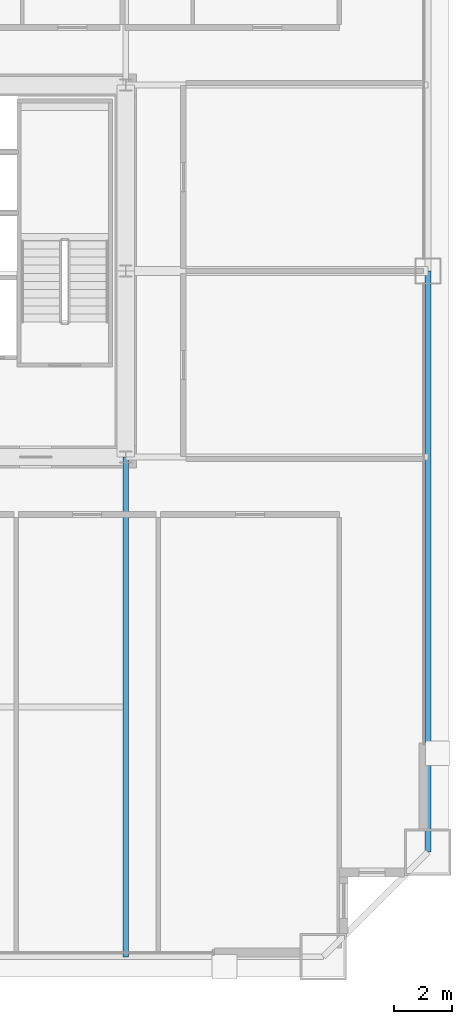
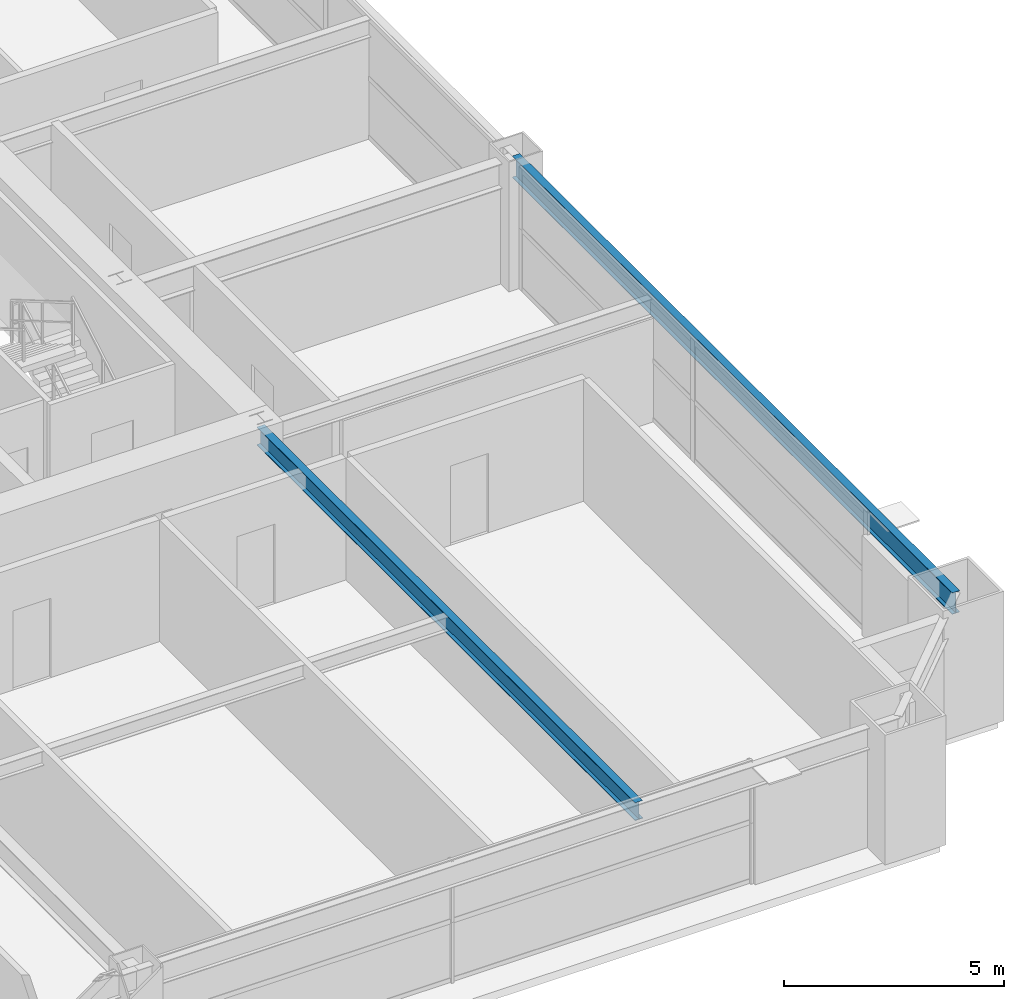
# One storey, part 17 of 39: 2 beams.
"""IFC4 building model written with IfcOpenShell, lengths in metres."""

import ifcopenshell
import ifcopenshell.guid

model = None  # the IFC model being written
_history = None  # IfcOwnerHistory: only IFC2X3 demands one
_inside = {}  # id of a spatial element -> (the spatial element, [elements in it])
_under = {}  # id of a project, library or spatial element -> (it, [spatial elements below it])
_declared = {}  # id of a project -> (the project, [libraries it declares])
_typed = {}  # id of a type object -> (the type object, [elements of that type])
_made_of = {}  # id of a material, layer set ... -> (it, [elements and type objects made of it])


def new_model(schema):
    """Start an empty IFC model of exactly this schema.

    Asked for "IFC4X3", IfcOpenShell would pick the latest addendum, in which some entities
    have other attributes; the version numbers below select the first issue.
    IFC2X3 requires an IfcOwnerHistory on every rooted entity: one is made here for all.
    """
    global model, _history
    if schema == "IFC4X3":
        model = ifcopenshell.file(schema_version=(4, 3, 0, 0))
    else:
        model = ifcopenshell.file(schema=schema)
    _inside.clear()
    _under.clear()
    _declared.clear()
    _typed.clear()
    _made_of.clear()
    _history = None
    if model.schema == "IFC2X3":
        org = make("IfcOrganization", Name="unknown")
        user = make(
            "IfcPersonAndOrganization",
            ThePerson=make("IfcPerson", FamilyName="unknown"),
            TheOrganization=org,
        )
        app = make(
            "IfcApplication",
            ApplicationDeveloper=org,
            Version="unknown",
            ApplicationFullName="unknown",
            ApplicationIdentifier="unknown",
        )
        _history = make(
            "IfcOwnerHistory",
            OwningUser=user,
            OwningApplication=app,
            ChangeAction="ADDED",
            CreationDate=0,
        )
    return model


def make(cls, **values):
    """One entity of the class cls with the attributes given. An attribute that is None is left unset."""
    return model.create_entity(
        cls, **{name: value for name, value in values.items() if value is not None}
    )


def rooted(cls, **values):
    """An entity with a GlobalId (a new one), such as an element, a storey or a relation."""
    return make(cls, GlobalId=ifcopenshell.guid.new(), OwnerHistory=_history, **values)


def si_unit(unit_type, name, prefix=None):
    """IfcSIUnit, for example si_unit("LENGTHUNIT", "METRE", prefix="MILLI")."""
    return make("IfcSIUnit", UnitType=unit_type, Prefix=prefix, Name=name)


def assignment(units):
    """IfcUnitAssignment: the units of a project."""
    return None if units is None else make("IfcUnitAssignment", Units=units)


def point(xyz):
    """IfcCartesianPoint."""
    return None if xyz is None else make("IfcCartesianPoint", Coordinates=xyz)


def direction(xyz):
    """IfcDirection."""
    return None if xyz is None else make("IfcDirection", DirectionRatios=xyz)


def frame(location, z_axis=None, x_axis=None):
    """IfcAxis2Placement3D, a coordinate frame: its origin and axes. An axis left out is left unset."""
    return make(
        "IfcAxis2Placement3D",
        Location=point(location),
        Axis=direction(z_axis),
        RefDirection=direction(x_axis),
    )


def frame_2d(location, x_axis=None):
    """IfcAxis2Placement2D, a coordinate frame in the plane: its origin and x axis."""
    return make(
        "IfcAxis2Placement2D", Location=point(location), RefDirection=direction(x_axis)
    )


def origin():
    """The frame at (0, 0, 0) with its axes left unset."""
    return frame((0.0, 0.0, 0.0))


def origin_2d():
    """The frame at (0, 0) in the plane with its x axis left unset."""
    return frame_2d((0.0, 0.0))


def place(relative_to, where):
    """IfcLocalPlacement: puts the frame where relative to a parent placement (None: the world)."""
    return make(
        "IfcLocalPlacement", PlacementRelTo=relative_to, RelativePlacement=where
    )


def context(
    kind, dimensions, precision=None, world=None, true_north=None, identifier=None
):
    """IfcGeometricRepresentationContext, for example the 3D "Model" context."""
    return make(
        "IfcGeometricRepresentationContext",
        ContextIdentifier=identifier,
        ContextType=kind,
        CoordinateSpaceDimension=dimensions,
        Precision=precision,
        WorldCoordinateSystem=world,
        TrueNorth=true_north,
    )


def subcontext(parent, identifier, kind, view, scale=None):
    """IfcGeometricRepresentationSubContext, for example "Body" below "Model"."""
    return make(
        "IfcGeometricRepresentationSubContext",
        ContextIdentifier=identifier,
        ContextType=kind,
        ParentContext=parent,
        TargetScale=scale,
        TargetView=view,
    )


def project(units=None, contexts=None):
    """IfcProject with its units and contexts."""
    return rooted(
        "IfcProject",
        Name="project",
        RepresentationContexts=contexts,
        UnitsInContext=assignment(units),
    )


def spatial(cls, under=None, at=None, **own):
    """A site, building, storey or space (cls), placed at a placement, below another one or the project."""
    s = rooted(cls, ObjectPlacement=at, **own)
    if under is not None:
        _under.setdefault(under.id(), (under, []))[1].append(s)
    return s


def profile(cls, at=None, kind="AREA", **sizes):
    """A parametric profile (cls). Its sizes go by their IFC names, for example OverallWidth=200.0."""
    return make(cls, ProfileType=kind, Position=at, **sizes)


def i_section(**sizes):
    """IfcIShapeProfileDef."""
    return profile("IfcIShapeProfileDef", **sizes)


def extrude(swept, where, along, depth):
    """IfcExtrudedAreaSolid: the profile swept, set in the frame where, extruded along a direction by depth."""
    return make(
        "IfcExtrudedAreaSolid",
        SweptArea=swept,
        Position=where,
        ExtrudedDirection=direction(along),
        Depth=depth,
    )


def shape(context_of_items, identifier, shape_type, items):
    """IfcShapeRepresentation: the items that make up one representation, for example the "Body"."""
    return make(
        "IfcShapeRepresentation",
        ContextOfItems=context_of_items,
        RepresentationIdentifier=identifier,
        RepresentationType=shape_type,
        Items=items,
    )


def source(mapping_origin, context_of_items, identifier, shape_type, items):
    """IfcRepresentationMap: a shape defined once, which mapped items show again and again."""
    return make(
        "IfcRepresentationMap",
        MappingOrigin=mapping_origin,
        MappedRepresentation=shape(context_of_items, identifier, shape_type, items),
    )


def transform(
    local_origin,
    x_axis=None,
    y_axis=None,
    z_axis=None,
    scale=None,
    scale2=None,
    scale3=None,
    uniform=True,
):
    """IfcCartesianTransformationOperator3D, or its non-uniform kind. x_axis, y_axis, z_axis: its Axis1, 2, 3."""
    if uniform:
        return make(
            "IfcCartesianTransformationOperator3D",
            Axis1=direction(x_axis),
            Axis2=direction(y_axis),
            LocalOrigin=point(local_origin),
            Scale=scale,
            Axis3=direction(z_axis),
        )
    return make(
        "IfcCartesianTransformationOperator3DnonUniform",
        Axis1=direction(x_axis),
        Axis2=direction(y_axis),
        LocalOrigin=point(local_origin),
        Scale=scale,
        Axis3=direction(z_axis),
        Scale2=scale2,
        Scale3=scale3,
    )


def mapped(mapping_source, mapping_target):
    """IfcMappedItem: shows the shape of a source again, moved by a transform."""
    return make(
        "IfcMappedItem", MappingSource=mapping_source, MappingTarget=mapping_target
    )


def material(Name=None, Category=None):
    """IfcMaterial."""
    return make("IfcMaterial", Name=Name, Category=Category)


def material_profile(
    of_material, cross_section, Name=None, Category=None, Priority=None
):
    """IfcMaterialProfile: a cross section and its material."""
    return make(
        "IfcMaterialProfile",
        Name=Name,
        Material=of_material,
        Profile=cross_section,
        Priority=Priority,
        Category=Category,
    )


def profile_set(profiles, Name=None, composite=None):
    """IfcMaterialProfileSet."""
    return make(
        "IfcMaterialProfileSet",
        Name=Name,
        MaterialProfiles=profiles,
        CompositeProfile=composite,
    )


def made_of(thing, what):
    """Note that an element or type object is made of a material, layer set ...; save() writes the relation."""
    if what is not None:
        _made_of.setdefault(what.id(), (what, []))[1].append(thing)
    return thing


def type_object(cls, material=None, **own):
    """A type object (cls), such as IfcWallType, which elements share."""
    return made_of(rooted(cls, **own), material)


def element(
    cls,
    number,
    at=None,
    inside=None,
    cuts=None,
    type_object=None,
    material=None,
    context=None,
    identifier="Body",
    shape_type=None,
    held_by="IfcProductDefinitionShape",
    body=None,
    shapes=None,
    **own,
):
    """One element of the class cls, such as IfcWall. Its Tag is "e" and its number.

    at: its placement. inside: the storey or other place that contains it. cuts: it is an
    opening in that element (IfcRelVoidsElement). A single representation is given by context,
    identifier, shape_type and body (its items); several are given by shapes. held_by: the class
    of the entity that holds the representations. save() writes the other relations.
    """
    e = rooted(cls, Tag="e%d" % number, ObjectPlacement=at, **own)
    if body is not None:
        shapes = [shape(context, identifier, shape_type, body)]
    if shapes is not None:
        e.Representation = make(held_by, Representations=shapes)
    if inside is not None:
        _inside.setdefault(inside.id(), (inside, []))[1].append(e)
    if cuts is not None:
        rooted(
            "IfcRelVoidsElement", RelatingBuildingElement=cuts, RelatedOpeningElement=e
        )
    if type_object is not None:
        _typed.setdefault(type_object.id(), (type_object, []))[1].append(e)
    return made_of(e, material)


def aggregate(whole, parts):
    """IfcRelAggregates: a whole, such as a stair, and the parts it consists of."""
    return rooted("IfcRelAggregates", RelatingObject=whole, RelatedObjects=parts)


def save(model, path):
    """Write the relations noted so far, then the file.

    IfcRelAggregates (storeys below a building ...), IfcRelContainedInSpatialStructure (elements
    in a storey), IfcRelDefinesByType, IfcRelAssociatesMaterial and IfcRelDeclares: one each for
    every whole, place, type object, material and project.
    """
    for whole, parts in _under.values():
        aggregate(whole, parts)
    for where, things in _inside.values():
        rooted(
            "IfcRelContainedInSpatialStructure",
            RelatedElements=things,
            RelatingStructure=where,
        )
    for kind, things in _typed.values():
        rooted("IfcRelDefinesByType", RelatedObjects=things, RelatingType=kind)
    for what, things in _made_of.values():
        rooted("IfcRelAssociatesMaterial", RelatedObjects=things, RelatingMaterial=what)
    for by, libraries in _declared.values():
        rooted("IfcRelDeclares", RelatingContext=by, RelatedDefinitions=libraries)
    model.write(path)


model = new_model("IFC4")

# Units and contexts
model_context = context("Model", 3, precision=1e-05, world=origin(), true_north=direction((0.0, 1.0)))
body_context = subcontext(model_context, "Body", "Model", "MODEL_VIEW")
ifc_project = project(units=[si_unit("LENGTHUNIT", "METRE"), si_unit("AREAUNIT", "SQUARE_METRE"), si_unit("VOLUMEUNIT", "CUBIC_METRE"), si_unit("PLANEANGLEUNIT", "RADIAN"), si_unit("MASSUNIT", "GRAM", prefix="KILO"), si_unit("THERMODYNAMICTEMPERATUREUNIT", "KELVIN"), si_unit("POWERUNIT", "WATT")], contexts=[model_context])

# Site, building, storey
site_placement = place(None, origin())
site = spatial("IfcSite", under=ifc_project, at=site_placement, CompositionType="ELEMENT")
building_placement = place(site_placement, origin())
building = spatial("IfcBuilding", under=site, at=building_placement, Name="Yuzanri Waterfront Tower", CompositionType="ELEMENT")
storey_placement = place(building_placement, frame((0.0, 0.0, 156.0)))
storey = spatial("IfcBuildingStorey", under=building, at=storey_placement, Name="L41", CompositionType="ELEMENT", Elevation=156.0)

# Beams
ifc_material_1 = material(Name="Steel Q355B", Category="steel")
ifc_material_profile_1 = material_profile(ifc_material_1, i_section(OverallWidth=0.199951171875, OverallDepth=0.60009765625, WebThickness=0.010986328125, FlangeThickness=0.01708984375, at=origin_2d()), Name="HN 600x200x11x17")
ifc_profile_set_1 = profile_set([ifc_material_profile_1], Name="Steel Q355B")
beam_type_1 = type_object("IfcBeamType", Name="Perimeter Spandrel Q355B HN 600x200", PredefinedType="SPANDREL", material=ifc_profile_set_1)
shared_shape_1 = source(origin(), body_context, "Body", "SweptSolid", [
    extrude(i_section(OverallWidth=0.199951171875, OverallDepth=0.60009765625, WebThickness=0.010986328125, FlangeThickness=0.01708984375, at=origin_2d()), origin(), (0.0, 0.0, 1.0), 20.0),
])
beam_1_placement = place(storey_placement, frame((60.60009765625, 5.800048828125, 3.080078125), z_axis=(0.0, 1.0, 0.0), x_axis=(-1.0, 0.0, 0.0)))
element("IfcBeam", 1, at=beam_1_placement, inside=storey, type_object=beam_type_1, Name="L41 Perimeter Spandrel E1-E2", PredefinedType="SPANDREL", context=body_context, shape_type="MappedRepresentation", body=[
    mapped(shared_shape_1, transform((0.0, 0.0, 0.0), scale=1.0)),
])
ifc_material_2 = material(Name="Steel Q355B", Category="steel")
ifc_material_profile_2 = material_profile(ifc_material_2, i_section(OverallWidth=0.199951171875, OverallDepth=0.5, WebThickness=0.010009765625, FlangeThickness=0.01611328125, at=origin_2d()), Name="HN 500x200x10x16")
ifc_profile_set_2 = profile_set([ifc_material_profile_2], Name="Steel Q355B")
beam_type_2 = type_object("IfcBeamType", Name="Secondary Floor Beam Q355B HN 500x200", PredefinedType="BEAM", material=ifc_profile_set_2)
shared_shape_2 = source(origin(), body_context, "Body", "SweptSolid", [
    extrude(i_section(OverallWidth=0.199951171875, OverallDepth=0.5, WebThickness=0.010009765625, FlangeThickness=0.01611328125, at=origin_2d()), origin(), (0.0, 0.0, 1.0), 17.199951171875),
])
beam_2_placement = place(storey_placement, frame((50.199951171875, 19.39990234375, 3.1298828125), z_axis=(0.0, -1.0, 0.0), x_axis=(1.0, 0.0, 0.0)))
element("IfcBeam", 2, at=beam_2_placement, inside=storey, type_object=beam_type_2, Name="L41 South-East Core Line Beam", PredefinedType="BEAM", context=body_context, shape_type="MappedRepresentation", body=[
    mapped(shared_shape_2, transform((0.0, 0.0, 0.0), scale=1.0)),
])

save(model, "model.ifc")
